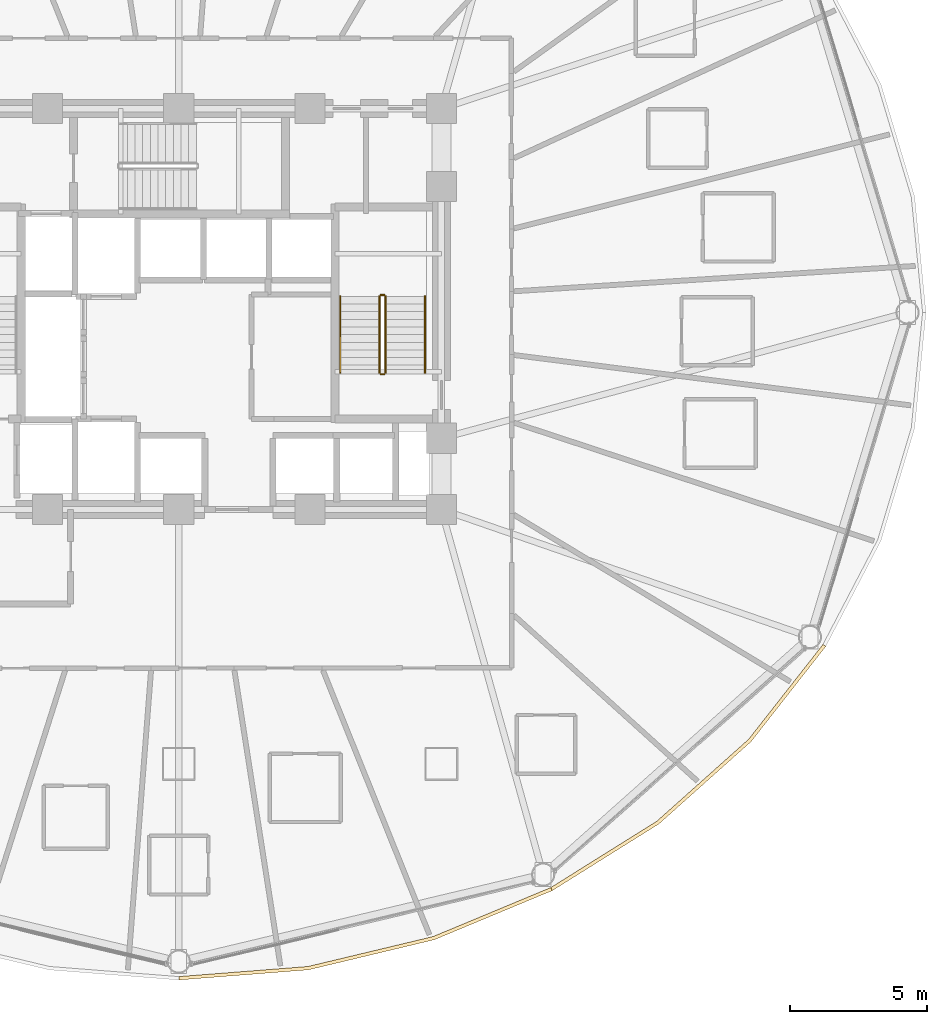
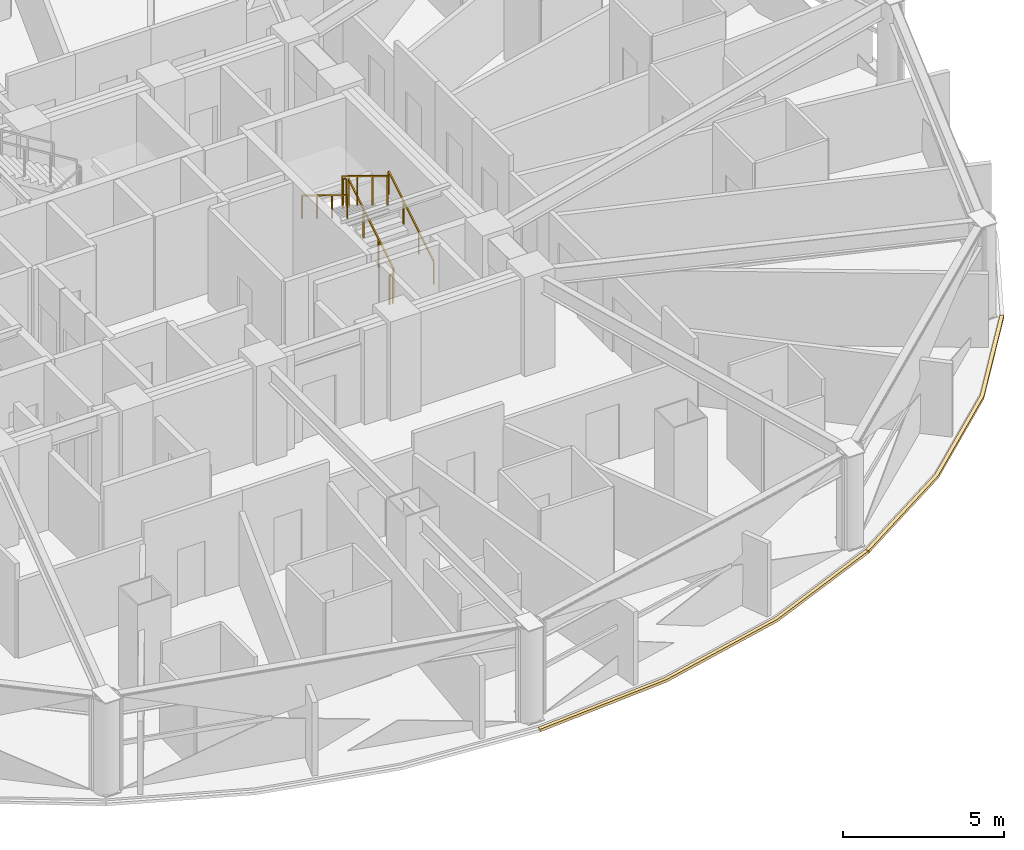
# One storey, part 31 of 32: 6 railings, 2 coverings.
"""IFC4 building model written with IfcOpenShell, lengths in metres."""

from ifc_helpers import new_model, si_unit, direction, frame, origin, origin_2d, place, context, subcontext, project, spatial, polyline, rectangle, outline, extrude, material, layer, layer_set, type_object, element, save


model = new_model("IFC4")

# Units and contexts
model_context = context("Model", 3, precision=1e-05, world=origin(), true_north=direction((0.0, 1.0)))
body_context = subcontext(model_context, "Body", "Model", "MODEL_VIEW")
ifc_project = project(units=[si_unit("LENGTHUNIT", "METRE"), si_unit("AREAUNIT", "SQUARE_METRE"), si_unit("VOLUMEUNIT", "CUBIC_METRE"), si_unit("PLANEANGLEUNIT", "RADIAN"), si_unit("MASSUNIT", "GRAM", prefix="KILO")], contexts=[model_context])

# Site, building, storey
site_placement = place(None, origin())
site = spatial("IfcSite", under=ifc_project, at=site_placement, CompositionType="ELEMENT")
building_placement = place(site_placement, origin())
building = spatial("IfcBuilding", under=site, at=building_placement, Name="Vantalir Tower", CompositionType="ELEMENT")
storey_placement = place(building_placement, frame((0.0, 0.0, 45.75)))
storey = spatial("IfcBuildingStorey", under=building, at=storey_placement, Name="L10", CompositionType="ELEMENT", Elevation=45.75)

# Coverings
ifc_material_1 = material(Name="Anodised champagne aluminium sill fascia", Category="aluminium")
ifc_layer = layer(ifc_material_1, 0.125)
ifc_layer_set = layer_set([ifc_layer], Name="Anodised champagne aluminium sill fascia")
covering_type = type_object("IfcCoveringType", Name="COV-SLAB-FASCIA-125", PredefinedType="CLADDING", material=ifc_layer_set)
covering_1_placement = place(storey_placement, frame((0.0, 0.0, -0.179931640625)))
element("IfcCovering", 1, at=covering_1_placement, inside=storey, type_object=covering_type, Name="L10 Perimeter Slab-Edge Sill Fascia 10", PredefinedType="CLADDING", context=body_context, shape_type="SweptSolid", body=[
    extrude(outline(polyline([(31.5, 0.59912109375), (36.242919921875, 0.969970703125), (40.842041015625, 2.071044921875), (45.156982421875, 3.867919921875), (45.094970703125, 3.97607421875), (40.799072265625, 2.18798828125), (36.220947265625, 1.093017578125), (31.5, 0.72412109375), (31.5, 0.59912109375)])), origin(), (0.0, 0.0, 1.0), 0.10498046875),
])
covering_2_placement = place(storey_placement, frame((0.0, 0.0, -0.179931640625)))
element("IfcCovering", 2, at=covering_2_placement, inside=storey, type_object=covering_type, Name="L10 Perimeter Slab-Edge Sill Fascia 11", PredefinedType="CLADDING", context=body_context, shape_type="SweptSolid", body=[
    extrude(outline(polyline([(45.156982421875, 3.867919921875), (49.056884765625, 6.30810546875), (52.424072265625, 9.31494140625), (55.155029296875, 12.799072265625), (55.0458984375, 12.862060546875), (52.327880859375, 9.39599609375), (48.97705078125, 6.404052734375), (45.094970703125, 3.97607421875), (45.156982421875, 3.867919921875)])), origin(), (0.0, 0.0, 1.0), 0.10498046875),
])

# Railings
ifc_material_2 = material(Name="Anodised aluminium and stainless steel guard", Category="steel")
railing_type_1 = type_object("IfcRailingType", Name="RAL-GUARD-1120", PredefinedType="GUARDRAIL", material=ifc_material_2)
railing_1_placement = place(storey_placement, frame((39.06005859375, 22.7900390625, 0.17041015625)))
element("IfcRailing", 3, at=railing_1_placement, inside=storey, type_object=railing_type_1, Name="L10 ST2 stair guard 1", PredefinedType="GUARDRAIL", context=body_context, shape_type="SweptSolid", body=[
    extrude(rectangle(XDim=0.048095703125, YDim=0.048095703125, at=origin_2d()), frame((0.0, 0.0, 1.09619140625), z_axis=(0.0, 0.854169791009, 0.51999420009), x_axis=(-1.0, 0.0, 0.0)), (0.0, 0.0, 1.0), 3.278076171875),
    extrude(rectangle(XDim=0.0419921875, YDim=0.0419921875, at=origin_2d()), origin(), (0.0, 0.0, 1.0), 1.072021484375),
    extrude(rectangle(XDim=0.0419921875, YDim=0.0419921875, at=origin_2d()), frame((0.0, 0.933349609375, 0.568115234375)), (0.0, 0.0, 1.0), 1.072021484375),
    extrude(rectangle(XDim=0.0419921875, YDim=0.0419921875, at=origin_2d()), frame((0.0, 1.86669921875, 1.136474609375)), (0.0, 0.0, 1.0), 1.072021484375),
    extrude(rectangle(XDim=0.0419921875, YDim=0.0419921875, at=origin_2d()), frame((0.0, 2.800048828125, 1.70458984375)), (0.0, 0.0, 1.0), 1.072021484375),
])
railing_2_placement = place(storey_placement, frame((39.010009765625, 25.639892578125, 1.875)))
element("IfcRailing", 4, at=railing_2_placement, inside=storey, type_object=railing_type_1, Name="L10 ST2 stair guard 2", PredefinedType="GUARDRAIL", context=body_context, shape_type="SweptSolid", body=[
    extrude(rectangle(XDim=0.048095703125, YDim=0.048095703125, at=origin_2d()), frame((0.0, 0.0, 1.09619140625), z_axis=(-1.0, 0.0, 0.0), x_axis=(0.0, -1.0, 0.0)), (0.0, 0.0, 1.0), 0.1201171875),
    extrude(rectangle(XDim=0.0419921875, YDim=0.0419921875, at=origin_2d()), origin(), (0.0, 0.0, 1.0), 1.072021484375),
    extrude(rectangle(XDim=0.0419921875, YDim=0.0419921875, at=origin_2d()), frame((-0.1201171875, 0.0, 0.0)), (0.0, 0.0, 1.0), 1.072021484375),
])
railing_3_placement = place(storey_placement, frame((38.840087890625, 25.590087890625, 2.04541015625)))
element("IfcRailing", 5, at=railing_3_placement, inside=storey, type_object=railing_type_1, Name="L10 ST2 stair guard 3", PredefinedType="GUARDRAIL", context=body_context, shape_type="SweptSolid", body=[
    extrude(rectangle(XDim=0.048095703125, YDim=0.048095703125, at=origin_2d()), frame((0.0, 0.0, 1.09619140625), z_axis=(0.0, -0.854169791009, 0.51999420009), x_axis=(1.0, 0.0, 0.0)), (0.0, 0.0, 1.0), 3.278076171875),
    extrude(rectangle(XDim=0.0419921875, YDim=0.0419921875, at=origin_2d()), origin(), (0.0, 0.0, 1.0), 1.072021484375),
    extrude(rectangle(XDim=0.0419921875, YDim=0.0419921875, at=origin_2d()), frame((0.0, -0.933349609375, 0.568115234375)), (0.0, 0.0, 1.0), 1.072021484375),
    extrude(rectangle(XDim=0.0419921875, YDim=0.0419921875, at=origin_2d()), frame((0.0, -1.86669921875, 1.136474609375)), (0.0, 0.0, 1.0), 1.072021484375),
    extrude(rectangle(XDim=0.0419921875, YDim=0.0419921875, at=origin_2d()), frame((0.0, -2.800048828125, 1.70458984375)), (0.0, 0.0, 1.0), 1.072021484375),
])
railing_4_placement = place(storey_placement, frame((39.010009765625, 22.739990234375, 0.0)))
element("IfcRailing", 6, at=railing_4_placement, inside=storey, type_object=railing_type_1, Name="L10 ST2 stair guard 4", PredefinedType="GUARDRAIL", context=body_context, shape_type="SweptSolid", body=[
    extrude(rectangle(XDim=0.048095703125, YDim=0.048095703125, at=origin_2d()), frame((0.0, 0.0, 1.09619140625), z_axis=(-1.0, 0.0, 0.0), x_axis=(0.0, -1.0, 0.0)), (0.0, 0.0, 1.0), 0.1201171875),
    extrude(rectangle(XDim=0.0419921875, YDim=0.0419921875, at=origin_2d()), origin(), (0.0, 0.0, 1.0), 1.072021484375),
    extrude(rectangle(XDim=0.0419921875, YDim=0.0419921875, at=origin_2d()), frame((-0.1201171875, 0.0, 0.0)), (0.0, 0.0, 1.0), 1.072021484375),
])
ifc_material_3 = material(Name="Brushed stainless steel tubular handrail", Category="steel")
railing_type_2 = type_object("IfcRailingType", Name="RAL-HANDRAIL-900", PredefinedType="HANDRAIL", material=ifc_material_3)
railing_5_placement = place(storey_placement, frame((40.5, 22.7900390625, 0.17041015625)))
element("IfcRailing", 7, at=railing_5_placement, inside=storey, type_object=railing_type_2, Name="L10 ST2 stair handrail 1", PredefinedType="HANDRAIL", context=body_context, shape_type="SweptSolid", body=[
    extrude(rectangle(XDim=0.048095703125, YDim=0.048095703125, at=origin_2d()), frame((0.0, 0.0, 0.8759765625), z_axis=(0.0, 0.854169791009, 0.51999420009), x_axis=(-1.0, 0.0, 0.0)), (0.0, 0.0, 1.0), 3.278076171875),
    extrude(rectangle(XDim=0.0419921875, YDim=0.0419921875, at=origin_2d()), origin(), (0.0, 0.0, 1.0), 0.851806640625),
    extrude(rectangle(XDim=0.0419921875, YDim=0.0419921875, at=origin_2d()), frame((0.0, 0.933349609375, 0.568115234375)), (0.0, 0.0, 1.0), 0.851806640625),
    extrude(rectangle(XDim=0.0419921875, YDim=0.0419921875, at=origin_2d()), frame((0.0, 1.86669921875, 1.136474609375)), (0.0, 0.0, 1.0), 0.851806640625),
    extrude(rectangle(XDim=0.0419921875, YDim=0.0419921875, at=origin_2d()), frame((0.0, 2.800048828125, 1.70458984375)), (0.0, 0.0, 1.0), 0.851806640625),
])
railing_6_placement = place(storey_placement, frame((37.39990234375, 25.590087890625, 2.04541015625)))
element("IfcRailing", 8, at=railing_6_placement, inside=storey, type_object=railing_type_2, Name="L10 ST2 stair handrail 2", PredefinedType="HANDRAIL", context=body_context, shape_type="SweptSolid", body=[
    extrude(rectangle(XDim=0.048095703125, YDim=0.048095703125, at=origin_2d()), frame((0.0, 0.0, 0.8759765625), z_axis=(0.0, -0.854169791009, 0.51999420009), x_axis=(1.0, 0.0, 0.0)), (0.0, 0.0, 1.0), 3.278076171875),
    extrude(rectangle(XDim=0.0419921875, YDim=0.0419921875, at=origin_2d()), origin(), (0.0, 0.0, 1.0), 0.851806640625),
    extrude(rectangle(XDim=0.0419921875, YDim=0.0419921875, at=origin_2d()), frame((0.0, -0.933349609375, 0.568115234375)), (0.0, 0.0, 1.0), 0.851806640625),
    extrude(rectangle(XDim=0.0419921875, YDim=0.0419921875, at=origin_2d()), frame((0.0, -1.86669921875, 1.136474609375)), (0.0, 0.0, 1.0), 0.851806640625),
    extrude(rectangle(XDim=0.0419921875, YDim=0.0419921875, at=origin_2d()), frame((0.0, -2.800048828125, 1.70458984375)), (0.0, 0.0, 1.0), 0.851806640625),
])

save(model, "model.ifc")
